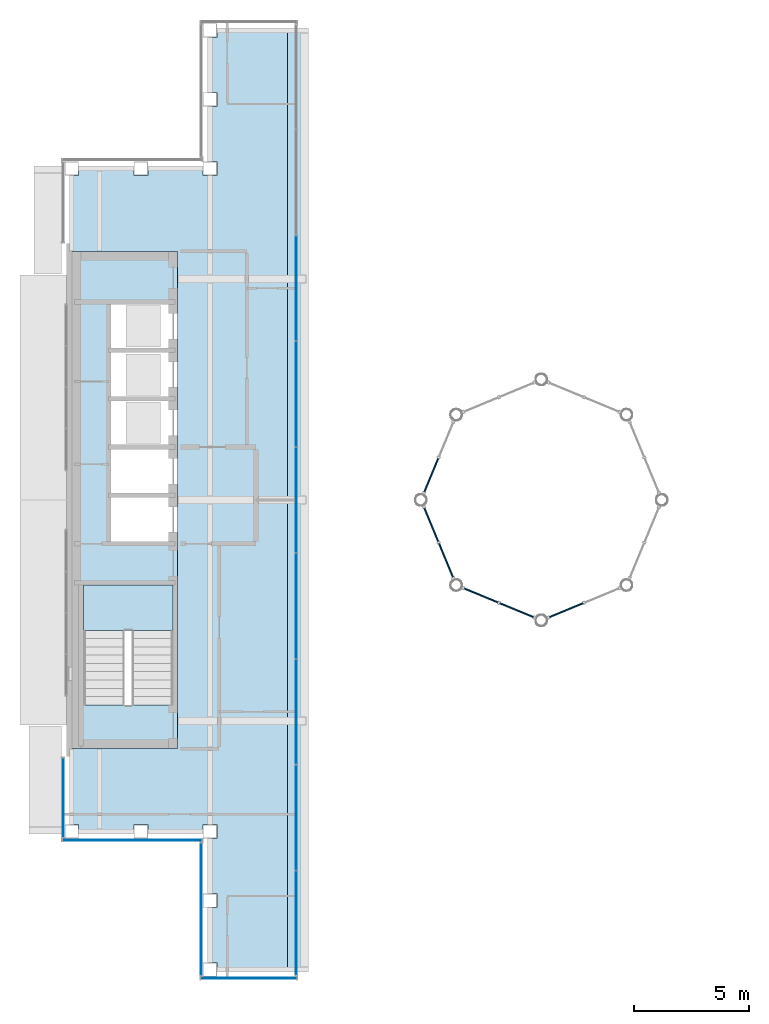
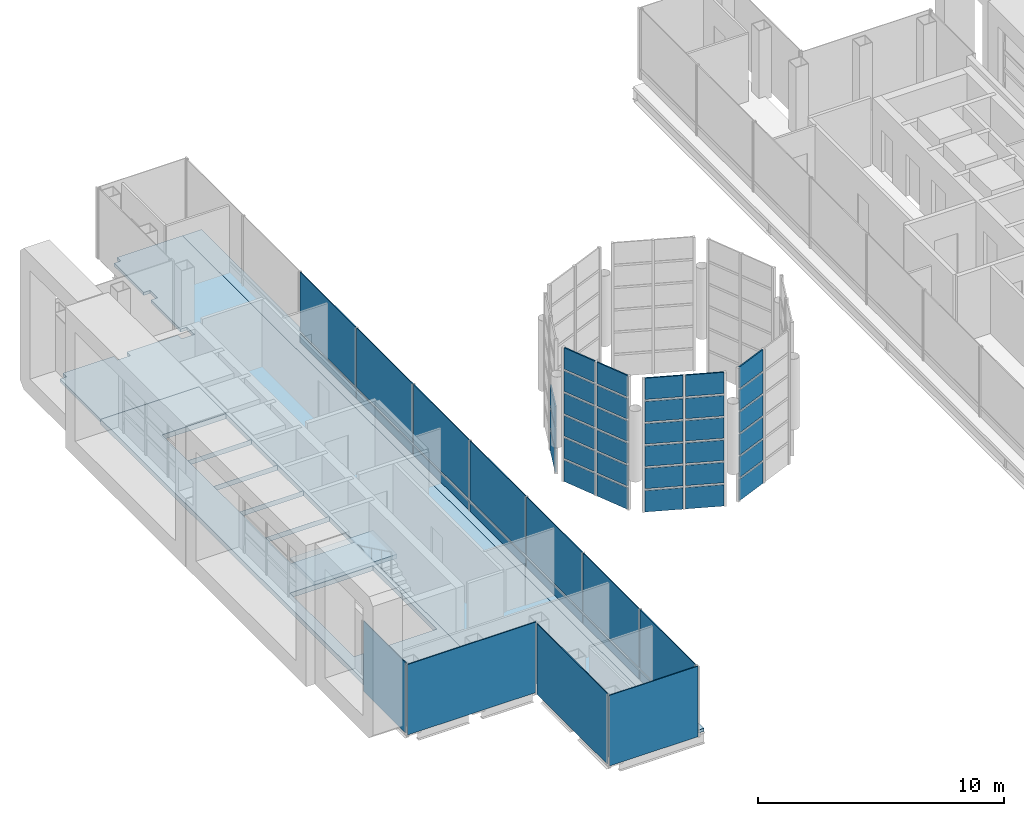
# One storey, part 10 of 21: 51 plates, 4 slabs, 10 elements without a shape of their own.
"""IFC4 building model written with IfcOpenShell, lengths in metres."""

from ifc_helpers import new_model, si_unit, direction, frame, origin, origin_2d, place, context, subcontext, project, spatial, polyline, rectangle, outline, extrude, material, layer, layer_set, type_object, element, aggregate, save


model = new_model("IFC4")

# Units and contexts
model_context = context("Model", 3, precision=1e-05, world=origin(), true_north=direction((0.0, 1.0)))
body_context = subcontext(model_context, "Body", "Model", "MODEL_VIEW")
ifc_project = project(units=[si_unit("LENGTHUNIT", "METRE"), si_unit("AREAUNIT", "SQUARE_METRE"), si_unit("VOLUMEUNIT", "CUBIC_METRE"), si_unit("PLANEANGLEUNIT", "RADIAN"), si_unit("MASSUNIT", "GRAM", prefix="KILO")], contexts=[model_context])

# Site, building, storey
site_placement = place(None, origin())
site = spatial("IfcSite", under=ifc_project, at=site_placement, CompositionType="ELEMENT")
building_placement = place(site_placement, origin())
building = spatial("IfcBuilding", under=site, at=building_placement, Name="Cobrizo Arcos Hotel Tower", CompositionType="ELEMENT")
storey_placement = place(building_placement, frame((0.0, 0.0, 283.0)))
storey = spatial("IfcBuildingStorey", under=building, at=storey_placement, Name="L75", CompositionType="ELEMENT", Elevation=283.0)

# Curtain wall, plate
ifc_material_1 = material(Name="Aluminium 6063-T6 anodised bronze", Category="aluminium")
curtain_wall_type_1 = type_object("IfcCurtainWallType", Name="CW-A guest facade", PredefinedType="NOTDEFINED", material=ifc_material_1)
curtain_wall_1_placement = place(storey_placement, origin())
curtain_wall_1 = element("IfcCurtainWall", 1, at=curtain_wall_1_placement, inside=storey, type_object=curtain_wall_type_1, Name="CW-A L75 S face", PredefinedType="NOTDEFINED")
ifc_material_2 = material(Name="Aluminium composite panel pale metal", Category="aluminium")
ifc_layer_1 = layer(ifc_material_2, 0.0400390625)
ifc_layer_set_1 = layer_set([ifc_layer_1], Name="CW-A spandrel panel")
plate_type_1 = type_object("IfcPlateType", Name="CW-A spandrel panel", PredefinedType="CURTAIN_PANEL", material=ifc_layer_set_1)
plate_1_placement = place(storey_placement, frame((-12.712890625, -20.77490234375, 0.0), z_axis=(0.0, 0.0, 1.0), x_axis=(1.0, 0.0, 0.0)))
plate_1 = element("IfcPlate", 2, at=plate_1_placement, type_object=plate_type_1, Name="CW-A spandrel panel 2375", PredefinedType="CURTAIN_PANEL", context=body_context, shape_type="SweptSolid", body=[
    extrude(rectangle(XDim=4.154052734375, YDim=0.0400390625, at=origin_2d()), origin(), (0.0, 0.0, 1.0), 3.5),
])
aggregate(curtain_wall_1, [plate_1])

curtain_wall_2_placement = place(storey_placement, origin())
curtain_wall_2 = element("IfcCurtainWall", 3, at=curtain_wall_2_placement, inside=storey, type_object=curtain_wall_type_1, Name="CW-A L75 W face", PredefinedType="NOTDEFINED")
plate_2_placement = place(storey_placement, frame((-20.77490234375, -12.925048828125, 0.0), z_axis=(0.0, 0.0, 1.0), x_axis=(0.0, -1.0, 0.0)))
plate_2 = element("IfcPlate", 4, at=plate_2_placement, type_object=plate_type_1, Name="CW-A spandrel panel 2389", PredefinedType="CURTAIN_PANEL", context=body_context, shape_type="SweptSolid", body=[
    extrude(rectangle(XDim=3.429931640625, YDim=0.0400390625, at=origin_2d()), origin(), (0.0, 0.0, 1.0), 3.5),
])
aggregate(curtain_wall_2, [plate_2])

curtain_wall_3_placement = place(storey_placement, origin())
curtain_wall_3 = element("IfcCurtainWall", 5, at=curtain_wall_3_placement, inside=storey, type_object=curtain_wall_type_1, Name="CW-A L75 S face", PredefinedType="NOTDEFINED")
plate_3_placement = place(storey_placement, frame((-17.77490234375, -14.77490234375, 0.0), z_axis=(0.0, 0.0, 1.0), x_axis=(1.0, 0.0, 0.0)))
plate_3 = element("IfcPlate", 6, at=plate_3_placement, type_object=plate_type_1, Name="CW-A spandrel panel 2390", PredefinedType="CURTAIN_PANEL", context=body_context, shape_type="SweptSolid", body=[
    extrude(rectangle(XDim=6.030029296875, YDim=0.0400390625, at=origin_2d()), origin(), (0.0, 0.0, 1.0), 3.5),
])
aggregate(curtain_wall_3, [plate_3])

curtain_wall_4_placement = place(storey_placement, origin())
curtain_wall_4 = element("IfcCurtainWall", 7, at=curtain_wall_4_placement, inside=storey, type_object=curtain_wall_type_1, Name="CW-A L75 W face", PredefinedType="NOTDEFINED")
plate_4_placement = place(storey_placement, frame((-14.77490234375, -17.77490234375, 0.0), z_axis=(0.0, 0.0, 1.0), x_axis=(0.0, -1.0, 0.0)))
plate_4 = element("IfcPlate", 8, at=plate_4_placement, type_object=plate_type_1, Name="CW-A spandrel panel 2391", PredefinedType="CURTAIN_PANEL", context=body_context, shape_type="SweptSolid", body=[
    extrude(rectangle(XDim=5.72998046875, YDim=0.0400390625, at=origin_2d()), origin(), (0.0, 0.0, 1.0), 3.5),
])
aggregate(curtain_wall_4, [plate_4])

# Curtain wall, plates
curtain_wall_type_2 = type_object("IfcCurtainWallType", Name="CW-C arch infill and crown glazing", PredefinedType="NOTDEFINED", material=ifc_material_1)
curtain_wall_5_placement = place(storey_placement, origin())
curtain_wall_5 = element("IfcCurtainWall", 9, at=curtain_wall_5_placement, inside=storey, type_object=curtain_wall_type_2, Name="CW-C L75 E face", PredefinedType="NOTDEFINED")
ifc_material_3 = material(Name="Glass clear laminated low-e", Category="glass")
ifc_layer_2 = layer(ifc_material_3, 0.0400390625)
ifc_layer_set_2 = layer_set([ifc_layer_2], Name="CW-C glass panel")
plate_type_2 = type_object("IfcPlateType", Name="CW-C glass panel", PredefinedType="CURTAIN_PANEL", material=ifc_layer_set_2)
plate_5_placement = place(storey_placement, frame((-10.65087890625, -18.382568359375, 0.0), z_axis=(0.0, 0.0, 1.0), x_axis=(0.0, 1.0, 0.0)))
plate_5 = element("IfcPlate", 10, at=plate_5_placement, type_object=plate_type_2, Name="CW-C glass panel 2376", PredefinedType="CURTAIN_PANEL", context=body_context, shape_type="SweptSolid", body=[
    extrude(rectangle(XDim=4.4951171875, YDim=0.0400390625, at=origin_2d()), origin(), (0.0, 0.0, 1.0), 0.429931640625),
])
plate_6_placement = place(storey_placement, frame((-10.65087890625, -18.382568359375, 0.56982421875), z_axis=(0.0, 0.0, 1.0), x_axis=(0.0, 1.0, 0.0)))
plate_6 = element("IfcPlate", 11, at=plate_6_placement, type_object=plate_type_2, Name="CW-C glass panel 2376", PredefinedType="CURTAIN_PANEL", context=body_context, shape_type="SweptSolid", body=[
    extrude(rectangle(XDim=4.4951171875, YDim=0.0400390625, at=origin_2d()), origin(), (0.0, 0.0, 1.0), 2.929931640625),
])
plate_7_placement = place(storey_placement, frame((-10.65087890625, -13.800048828125, 0.0), z_axis=(0.0, 0.0, 1.0), x_axis=(0.0, 1.0, 0.0)))
plate_7 = element("IfcPlate", 12, at=plate_7_placement, type_object=plate_type_2, Name="CW-C glass panel 2377", PredefinedType="CURTAIN_PANEL", context=body_context, shape_type="SweptSolid", body=[
    extrude(rectangle(XDim=4.530029296875, YDim=0.0400390625, at=origin_2d()), origin(), (0.0, 0.0, 1.0), 0.429931640625),
])
plate_8_placement = place(storey_placement, frame((-10.65087890625, -13.800048828125, 0.56982421875), z_axis=(0.0, 0.0, 1.0), x_axis=(0.0, 1.0, 0.0)))
plate_8 = element("IfcPlate", 13, at=plate_8_placement, type_object=plate_type_2, Name="CW-C glass panel 2377", PredefinedType="CURTAIN_PANEL", context=body_context, shape_type="SweptSolid", body=[
    extrude(rectangle(XDim=4.530029296875, YDim=0.0400390625, at=origin_2d()), origin(), (0.0, 0.0, 1.0), 2.929931640625),
])
plate_9_placement = place(storey_placement, frame((-10.65087890625, -9.199951171875, 0.0), z_axis=(0.0, 0.0, 1.0), x_axis=(0.0, 1.0, 0.0)))
plate_9 = element("IfcPlate", 14, at=plate_9_placement, type_object=plate_type_2, Name="CW-C glass panel 2378", PredefinedType="CURTAIN_PANEL", context=body_context, shape_type="SweptSolid", body=[
    extrude(rectangle(XDim=4.530029296875, YDim=0.0400390625, at=origin_2d()), origin(), (0.0, 0.0, 1.0), 0.429931640625),
])
plate_10_placement = place(storey_placement, frame((-10.65087890625, -9.199951171875, 0.56982421875), z_axis=(0.0, 0.0, 1.0), x_axis=(0.0, 1.0, 0.0)))
plate_10 = element("IfcPlate", 15, at=plate_10_placement, type_object=plate_type_2, Name="CW-C glass panel 2378", PredefinedType="CURTAIN_PANEL", context=body_context, shape_type="SweptSolid", body=[
    extrude(rectangle(XDim=4.530029296875, YDim=0.0400390625, at=origin_2d()), origin(), (0.0, 0.0, 1.0), 2.929931640625),
])
plate_11_placement = place(storey_placement, frame((-10.65087890625, -4.60009765625, 0.0), z_axis=(0.0, 0.0, 1.0), x_axis=(0.0, 1.0, 0.0)))
plate_11 = element("IfcPlate", 16, at=plate_11_placement, type_object=plate_type_2, Name="CW-C glass panel 2379", PredefinedType="CURTAIN_PANEL", context=body_context, shape_type="SweptSolid", body=[
    extrude(rectangle(XDim=4.530029296875, YDim=0.0400390625, at=origin_2d()), origin(), (0.0, 0.0, 1.0), 0.429931640625),
])
plate_12_placement = place(storey_placement, frame((-10.65087890625, -4.60009765625, 0.56982421875), z_axis=(0.0, 0.0, 1.0), x_axis=(0.0, 1.0, 0.0)))
plate_12 = element("IfcPlate", 17, at=plate_12_placement, type_object=plate_type_2, Name="CW-C glass panel 2379", PredefinedType="CURTAIN_PANEL", context=body_context, shape_type="SweptSolid", body=[
    extrude(rectangle(XDim=4.530029296875, YDim=0.0400390625, at=origin_2d()), origin(), (0.0, 0.0, 1.0), 2.929931640625),
])
plate_13_placement = place(storey_placement, frame((-10.65087890625, 0.0, 0.0), z_axis=(0.0, 0.0, 1.0), x_axis=(0.0, 1.0, 0.0)))
plate_13 = element("IfcPlate", 18, at=plate_13_placement, type_object=plate_type_2, Name="CW-C glass panel 2380", PredefinedType="CURTAIN_PANEL", context=body_context, shape_type="SweptSolid", body=[
    extrude(rectangle(XDim=4.530029296875, YDim=0.0400390625, at=origin_2d()), origin(), (0.0, 0.0, 1.0), 0.429931640625),
])
plate_14_placement = place(storey_placement, frame((-10.65087890625, 0.0, 0.56982421875), z_axis=(0.0, 0.0, 1.0), x_axis=(0.0, 1.0, 0.0)))
plate_14 = element("IfcPlate", 19, at=plate_14_placement, type_object=plate_type_2, Name="CW-C glass panel 2380", PredefinedType="CURTAIN_PANEL", context=body_context, shape_type="SweptSolid", body=[
    extrude(rectangle(XDim=4.530029296875, YDim=0.0400390625, at=origin_2d()), origin(), (0.0, 0.0, 1.0), 2.929931640625),
])
plate_15_placement = place(storey_placement, frame((-10.65087890625, 4.60009765625, 0.0), z_axis=(0.0, 0.0, 1.0), x_axis=(0.0, 1.0, 0.0)))
plate_15 = element("IfcPlate", 20, at=plate_15_placement, type_object=plate_type_2, Name="CW-C glass panel 2381", PredefinedType="CURTAIN_PANEL", context=body_context, shape_type="SweptSolid", body=[
    extrude(rectangle(XDim=4.530029296875, YDim=0.0400390625, at=origin_2d()), origin(), (0.0, 0.0, 1.0), 0.429931640625),
])
plate_16_placement = place(storey_placement, frame((-10.65087890625, 4.60009765625, 0.56982421875), z_axis=(0.0, 0.0, 1.0), x_axis=(0.0, 1.0, 0.0)))
plate_16 = element("IfcPlate", 21, at=plate_16_placement, type_object=plate_type_2, Name="CW-C glass panel 2381", PredefinedType="CURTAIN_PANEL", context=body_context, shape_type="SweptSolid", body=[
    extrude(rectangle(XDim=4.530029296875, YDim=0.0400390625, at=origin_2d()), origin(), (0.0, 0.0, 1.0), 2.929931640625),
])
plate_17_placement = place(storey_placement, frame((-10.65087890625, 9.199951171875, 0.0), z_axis=(0.0, 0.0, 1.0), x_axis=(0.0, 1.0, 0.0)))
plate_17 = element("IfcPlate", 22, at=plate_17_placement, type_object=plate_type_2, Name="CW-C glass panel 2382", PredefinedType="CURTAIN_PANEL", context=body_context, shape_type="SweptSolid", body=[
    extrude(rectangle(XDim=4.530029296875, YDim=0.0400390625, at=origin_2d()), origin(), (0.0, 0.0, 1.0), 0.429931640625),
])
plate_18_placement = place(storey_placement, frame((-10.65087890625, 9.199951171875, 0.56982421875), z_axis=(0.0, 0.0, 1.0), x_axis=(0.0, 1.0, 0.0)))
plate_18 = element("IfcPlate", 23, at=plate_18_placement, type_object=plate_type_2, Name="CW-C glass panel 2382", PredefinedType="CURTAIN_PANEL", context=body_context, shape_type="SweptSolid", body=[
    extrude(rectangle(XDim=4.530029296875, YDim=0.0400390625, at=origin_2d()), origin(), (0.0, 0.0, 1.0), 2.929931640625),
])
aggregate(curtain_wall_5, [plate_5, plate_6, plate_7, plate_8, plate_9, plate_10, plate_11, plate_12, plate_13, plate_14, plate_15, plate_16, plate_17, plate_18])

curtain_wall_type_3 = type_object("IfcCurtainWallType", Name="CW-D plant louvre wall", PredefinedType="NOTDEFINED", material=ifc_material_1)
curtain_wall_6_placement = place(storey_placement, origin())
curtain_wall_6 = element("IfcCurtainWall", 24, at=curtain_wall_6_placement, inside=storey, type_object=curtain_wall_type_3, Name="CW-D drum louvre wall t2-4", PredefinedType="NOTDEFINED")
ifc_layer_3 = layer(ifc_material_2, 0.06005859375)
ifc_layer_set_3 = layer_set([ifc_layer_3], Name="CW-D spandrel panel")
plate_type_3 = type_object("IfcPlateType", Name="CW-D spandrel panel", PredefinedType="CURTAIN_PANEL", material=ifc_layer_set_3)
plate_19_placement = place(storey_placement, frame((-4.785400390625, 1.079345703125, -1.666748046875), z_axis=(0.0, 0.0, 1.0), x_axis=(-0.382683432365, -0.923879532511, 0.0)))
plate_19 = element("IfcPlate", 25, at=plate_19_placement, type_object=plate_type_3, Name="CW-D louvre panel 2-0", PredefinedType="CURTAIN_PANEL", context=body_context, shape_type="SweptSolid", body=[
    extrude(rectangle(XDim=1.568359375, YDim=0.06005859375, at=origin_2d()), origin(), (0.0, 0.0, 1.0), 1.0556640625),
])
plate_20_placement = place(storey_placement, frame((-4.785400390625, 1.079345703125, -0.51123046875), z_axis=(0.0, 0.0, 1.0), x_axis=(-0.382683432365, -0.923879532511, 0.0)))
plate_20 = element("IfcPlate", 26, at=plate_20_placement, type_object=plate_type_3, Name="CW-D louvre panel 2-1", PredefinedType="CURTAIN_PANEL", context=body_context, shape_type="SweptSolid", body=[
    extrude(rectangle(XDim=1.568359375, YDim=0.06005859375, at=origin_2d()), origin(), (0.0, 0.0, 1.0), 1.005615234375),
])
plate_21_placement = place(storey_placement, frame((-4.785400390625, 1.079345703125, 0.59423828125), z_axis=(0.0, 0.0, 1.0), x_axis=(-0.382683432365, -0.923879532511, 0.0)))
plate_21 = element("IfcPlate", 27, at=plate_21_placement, type_object=plate_type_3, Name="CW-D louvre panel 2-2", PredefinedType="CURTAIN_PANEL", context=body_context, shape_type="SweptSolid", body=[
    extrude(rectangle(XDim=1.568359375, YDim=0.06005859375, at=origin_2d()), origin(), (0.0, 0.0, 1.0), 1.005615234375),
])
aggregate(curtain_wall_6, [plate_19, plate_20, plate_21])

curtain_wall_7_placement = place(storey_placement, origin())
curtain_wall_7 = element("IfcCurtainWall", 28, at=curtain_wall_7_placement, inside=storey, type_object=curtain_wall_type_3, Name="CW-D drum louvre wall t2-5", PredefinedType="NOTDEFINED")
plate_22_placement = place(storey_placement, frame((-4.785400390625, -1.079345703125, -1.666748046875), z_axis=(0.0, 0.0, 1.0), x_axis=(0.382683432365, -0.923879532511, 0.0)))
plate_22 = element("IfcPlate", 29, at=plate_22_placement, type_object=plate_type_3, Name="CW-D louvre panel 1-0", PredefinedType="CURTAIN_PANEL", context=body_context, shape_type="SweptSolid", body=[
    extrude(rectangle(XDim=1.568359375, YDim=0.06005859375, at=origin_2d()), origin(), (0.0, 0.0, 1.0), 1.0556640625),
])
plate_23_placement = place(storey_placement, frame((-4.785400390625, -1.079345703125, -0.51123046875), z_axis=(0.0, 0.0, 1.0), x_axis=(0.382683432365, -0.923879532511, 0.0)))
plate_23 = element("IfcPlate", 30, at=plate_23_placement, type_object=plate_type_3, Name="CW-D louvre panel 1-1", PredefinedType="CURTAIN_PANEL", context=body_context, shape_type="SweptSolid", body=[
    extrude(rectangle(XDim=1.568359375, YDim=0.06005859375, at=origin_2d()), origin(), (0.0, 0.0, 1.0), 1.005615234375),
])
plate_24_placement = place(storey_placement, frame((-4.785400390625, -1.079345703125, 0.59423828125), z_axis=(0.0, 0.0, 1.0), x_axis=(0.382683432365, -0.923879532511, 0.0)))
plate_24 = element("IfcPlate", 31, at=plate_24_placement, type_object=plate_type_3, Name="CW-D louvre panel 1-2", PredefinedType="CURTAIN_PANEL", context=body_context, shape_type="SweptSolid", body=[
    extrude(rectangle(XDim=1.568359375, YDim=0.06005859375, at=origin_2d()), origin(), (0.0, 0.0, 1.0), 1.005615234375),
])
plate_25_placement = place(storey_placement, frame((-4.785400390625, -1.079345703125, 1.7001953125), z_axis=(0.0, 0.0, 1.0), x_axis=(0.382683432365, -0.923879532511, 0.0)))
plate_25 = element("IfcPlate", 32, at=plate_25_placement, type_object=plate_type_3, Name="CW-D louvre panel 1-3", PredefinedType="CURTAIN_PANEL", context=body_context, shape_type="SweptSolid", body=[
    extrude(rectangle(XDim=1.568359375, YDim=0.06005859375, at=origin_2d()), origin(), (0.0, 0.0, 1.0), 1.005615234375),
])
plate_26_placement = place(storey_placement, frame((-4.785400390625, -1.079345703125, 2.8056640625), z_axis=(0.0, 0.0, 1.0), x_axis=(0.382683432365, -0.923879532511, 0.0)))
plate_26 = element("IfcPlate", 33, at=plate_26_placement, type_object=plate_type_3, Name="CW-D louvre panel 1-4", PredefinedType="CURTAIN_PANEL", context=body_context, shape_type="SweptSolid", body=[
    extrude(rectangle(XDim=1.568359375, YDim=0.06005859375, at=origin_2d()), origin(), (0.0, 0.0, 1.0), 1.005615234375),
])
plate_27_placement = place(storey_placement, frame((-4.785400390625, -1.079345703125, 3.9111328125), z_axis=(0.0, 0.0, 1.0), x_axis=(0.382683432365, -0.923879532511, 0.0)))
plate_27 = element("IfcPlate", 34, at=plate_27_placement, type_object=plate_type_3, Name="CW-D louvre panel 1-5", PredefinedType="CURTAIN_PANEL", context=body_context, shape_type="SweptSolid", body=[
    extrude(rectangle(XDim=1.568359375, YDim=0.06005859375, at=origin_2d()), origin(), (0.0, 0.0, 1.0), 1.0556640625),
])
plate_28_placement = place(storey_placement, frame((-4.147216796875, -2.62060546875, -1.666748046875), z_axis=(0.0, 0.0, 1.0), x_axis=(0.382683432365, -0.923879532511, 0.0)))
plate_28 = element("IfcPlate", 35, at=plate_28_placement, type_object=plate_type_3, Name="CW-D louvre panel 2-0", PredefinedType="CURTAIN_PANEL", context=body_context, shape_type="SweptSolid", body=[
    extrude(rectangle(XDim=1.568359375, YDim=0.06005859375, at=origin_2d()), origin(), (0.0, 0.0, 1.0), 1.0556640625),
])
plate_29_placement = place(storey_placement, frame((-4.147216796875, -2.62060546875, -0.51123046875), z_axis=(0.0, 0.0, 1.0), x_axis=(0.382683432365, -0.923879532511, 0.0)))
plate_29 = element("IfcPlate", 36, at=plate_29_placement, type_object=plate_type_3, Name="CW-D louvre panel 2-1", PredefinedType="CURTAIN_PANEL", context=body_context, shape_type="SweptSolid", body=[
    extrude(rectangle(XDim=1.568359375, YDim=0.06005859375, at=origin_2d()), origin(), (0.0, 0.0, 1.0), 1.005615234375),
])
plate_30_placement = place(storey_placement, frame((-4.147216796875, -2.62060546875, 0.59423828125), z_axis=(0.0, 0.0, 1.0), x_axis=(0.382683432365, -0.923879532511, 0.0)))
plate_30 = element("IfcPlate", 37, at=plate_30_placement, type_object=plate_type_3, Name="CW-D louvre panel 2-2", PredefinedType="CURTAIN_PANEL", context=body_context, shape_type="SweptSolid", body=[
    extrude(rectangle(XDim=1.568359375, YDim=0.06005859375, at=origin_2d()), origin(), (0.0, 0.0, 1.0), 1.005615234375),
])
plate_31_placement = place(storey_placement, frame((-4.147216796875, -2.62060546875, 1.7001953125), z_axis=(0.0, 0.0, 1.0), x_axis=(0.382683432365, -0.923879532511, 0.0)))
plate_31 = element("IfcPlate", 38, at=plate_31_placement, type_object=plate_type_3, Name="CW-D louvre panel 2-3", PredefinedType="CURTAIN_PANEL", context=body_context, shape_type="SweptSolid", body=[
    extrude(rectangle(XDim=1.568359375, YDim=0.06005859375, at=origin_2d()), origin(), (0.0, 0.0, 1.0), 1.005615234375),
])
plate_32_placement = place(storey_placement, frame((-4.147216796875, -2.62060546875, 2.8056640625), z_axis=(0.0, 0.0, 1.0), x_axis=(0.382683432365, -0.923879532511, 0.0)))
plate_32 = element("IfcPlate", 39, at=plate_32_placement, type_object=plate_type_3, Name="CW-D louvre panel 2-4", PredefinedType="CURTAIN_PANEL", context=body_context, shape_type="SweptSolid", body=[
    extrude(rectangle(XDim=1.568359375, YDim=0.06005859375, at=origin_2d()), origin(), (0.0, 0.0, 1.0), 1.005615234375),
])
plate_33_placement = place(storey_placement, frame((-4.147216796875, -2.62060546875, 3.9111328125), z_axis=(0.0, 0.0, 1.0), x_axis=(0.382683432365, -0.923879532511, 0.0)))
plate_33 = element("IfcPlate", 40, at=plate_33_placement, type_object=plate_type_3, Name="CW-D louvre panel 2-5", PredefinedType="CURTAIN_PANEL", context=body_context, shape_type="SweptSolid", body=[
    extrude(rectangle(XDim=1.568359375, YDim=0.06005859375, at=origin_2d()), origin(), (0.0, 0.0, 1.0), 1.0556640625),
])
aggregate(curtain_wall_7, [plate_22, plate_23, plate_24, plate_25, plate_26, plate_27, plate_28, plate_29, plate_30, plate_31, plate_32, plate_33])

curtain_wall_8_placement = place(storey_placement, origin())
curtain_wall_8 = element("IfcCurtainWall", 41, at=curtain_wall_8_placement, inside=storey, type_object=curtain_wall_type_3, Name="CW-D drum louvre wall t2-6", PredefinedType="NOTDEFINED")
plate_34_placement = place(storey_placement, frame((-2.62060546875, -4.147216796875, -1.666748046875), z_axis=(0.0, 0.0, 1.0), x_axis=(0.923879532511, -0.382683432365, 0.0)))
plate_34 = element("IfcPlate", 42, at=plate_34_placement, type_object=plate_type_3, Name="CW-D louvre panel 1-0", PredefinedType="CURTAIN_PANEL", context=body_context, shape_type="SweptSolid", body=[
    extrude(rectangle(XDim=1.568359375, YDim=0.06005859375, at=origin_2d()), origin(), (0.0, 0.0, 1.0), 1.0556640625),
])
plate_35_placement = place(storey_placement, frame((-2.62060546875, -4.147216796875, -0.51123046875), z_axis=(0.0, 0.0, 1.0), x_axis=(0.923879532511, -0.382683432365, 0.0)))
plate_35 = element("IfcPlate", 43, at=plate_35_placement, type_object=plate_type_3, Name="CW-D louvre panel 1-1", PredefinedType="CURTAIN_PANEL", context=body_context, shape_type="SweptSolid", body=[
    extrude(rectangle(XDim=1.568359375, YDim=0.06005859375, at=origin_2d()), origin(), (0.0, 0.0, 1.0), 1.005615234375),
])
plate_36_placement = place(storey_placement, frame((-2.62060546875, -4.147216796875, 0.59423828125), z_axis=(0.0, 0.0, 1.0), x_axis=(0.923879532511, -0.382683432365, 0.0)))
plate_36 = element("IfcPlate", 44, at=plate_36_placement, type_object=plate_type_3, Name="CW-D louvre panel 1-2", PredefinedType="CURTAIN_PANEL", context=body_context, shape_type="SweptSolid", body=[
    extrude(rectangle(XDim=1.568359375, YDim=0.06005859375, at=origin_2d()), origin(), (0.0, 0.0, 1.0), 1.005615234375),
])
plate_37_placement = place(storey_placement, frame((-2.62060546875, -4.147216796875, 1.7001953125), z_axis=(0.0, 0.0, 1.0), x_axis=(0.923879532511, -0.382683432365, 0.0)))
plate_37 = element("IfcPlate", 45, at=plate_37_placement, type_object=plate_type_3, Name="CW-D louvre panel 1-3", PredefinedType="CURTAIN_PANEL", context=body_context, shape_type="SweptSolid", body=[
    extrude(rectangle(XDim=1.568359375, YDim=0.06005859375, at=origin_2d()), origin(), (0.0, 0.0, 1.0), 1.005615234375),
])
plate_38_placement = place(storey_placement, frame((-2.62060546875, -4.147216796875, 2.8056640625), z_axis=(0.0, 0.0, 1.0), x_axis=(0.923879532511, -0.382683432365, 0.0)))
plate_38 = element("IfcPlate", 46, at=plate_38_placement, type_object=plate_type_3, Name="CW-D louvre panel 1-4", PredefinedType="CURTAIN_PANEL", context=body_context, shape_type="SweptSolid", body=[
    extrude(rectangle(XDim=1.568359375, YDim=0.06005859375, at=origin_2d()), origin(), (0.0, 0.0, 1.0), 1.005615234375),
])
plate_39_placement = place(storey_placement, frame((-2.62060546875, -4.147216796875, 3.9111328125), z_axis=(0.0, 0.0, 1.0), x_axis=(0.923879532511, -0.382683432365, 0.0)))
plate_39 = element("IfcPlate", 47, at=plate_39_placement, type_object=plate_type_3, Name="CW-D louvre panel 1-5", PredefinedType="CURTAIN_PANEL", context=body_context, shape_type="SweptSolid", body=[
    extrude(rectangle(XDim=1.568359375, YDim=0.06005859375, at=origin_2d()), origin(), (0.0, 0.0, 1.0), 1.0556640625),
])
plate_40_placement = place(storey_placement, frame((-1.079345703125, -4.785400390625, -1.666748046875), z_axis=(0.0, 0.0, 1.0), x_axis=(0.923879532511, -0.382683432365, 0.0)))
plate_40 = element("IfcPlate", 48, at=plate_40_placement, type_object=plate_type_3, Name="CW-D louvre panel 2-0", PredefinedType="CURTAIN_PANEL", context=body_context, shape_type="SweptSolid", body=[
    extrude(rectangle(XDim=1.568359375, YDim=0.06005859375, at=origin_2d()), origin(), (0.0, 0.0, 1.0), 1.0556640625),
])
plate_41_placement = place(storey_placement, frame((-1.079345703125, -4.785400390625, -0.51123046875), z_axis=(0.0, 0.0, 1.0), x_axis=(0.923879532511, -0.382683432365, 0.0)))
plate_41 = element("IfcPlate", 49, at=plate_41_placement, type_object=plate_type_3, Name="CW-D louvre panel 2-1", PredefinedType="CURTAIN_PANEL", context=body_context, shape_type="SweptSolid", body=[
    extrude(rectangle(XDim=1.568359375, YDim=0.06005859375, at=origin_2d()), origin(), (0.0, 0.0, 1.0), 1.005615234375),
])
plate_42_placement = place(storey_placement, frame((-1.079345703125, -4.785400390625, 0.59423828125), z_axis=(0.0, 0.0, 1.0), x_axis=(0.923879532511, -0.382683432365, 0.0)))
plate_42 = element("IfcPlate", 50, at=plate_42_placement, type_object=plate_type_3, Name="CW-D louvre panel 2-2", PredefinedType="CURTAIN_PANEL", context=body_context, shape_type="SweptSolid", body=[
    extrude(rectangle(XDim=1.568359375, YDim=0.06005859375, at=origin_2d()), origin(), (0.0, 0.0, 1.0), 1.005615234375),
])
plate_43_placement = place(storey_placement, frame((-1.079345703125, -4.785400390625, 1.7001953125), z_axis=(0.0, 0.0, 1.0), x_axis=(0.923879532511, -0.382683432365, 0.0)))
plate_43 = element("IfcPlate", 51, at=plate_43_placement, type_object=plate_type_3, Name="CW-D louvre panel 2-3", PredefinedType="CURTAIN_PANEL", context=body_context, shape_type="SweptSolid", body=[
    extrude(rectangle(XDim=1.568359375, YDim=0.06005859375, at=origin_2d()), origin(), (0.0, 0.0, 1.0), 1.005615234375),
])
plate_44_placement = place(storey_placement, frame((-1.079345703125, -4.785400390625, 2.8056640625), z_axis=(0.0, 0.0, 1.0), x_axis=(0.923879532511, -0.382683432365, 0.0)))
plate_44 = element("IfcPlate", 52, at=plate_44_placement, type_object=plate_type_3, Name="CW-D louvre panel 2-4", PredefinedType="CURTAIN_PANEL", context=body_context, shape_type="SweptSolid", body=[
    extrude(rectangle(XDim=1.568359375, YDim=0.06005859375, at=origin_2d()), origin(), (0.0, 0.0, 1.0), 1.005615234375),
])
plate_45_placement = place(storey_placement, frame((-1.079345703125, -4.785400390625, 3.9111328125), z_axis=(0.0, 0.0, 1.0), x_axis=(0.923879532511, -0.382683432365, 0.0)))
plate_45 = element("IfcPlate", 53, at=plate_45_placement, type_object=plate_type_3, Name="CW-D louvre panel 2-5", PredefinedType="CURTAIN_PANEL", context=body_context, shape_type="SweptSolid", body=[
    extrude(rectangle(XDim=1.568359375, YDim=0.06005859375, at=origin_2d()), origin(), (0.0, 0.0, 1.0), 1.0556640625),
])
aggregate(curtain_wall_8, [plate_34, plate_35, plate_36, plate_37, plate_38, plate_39, plate_40, plate_41, plate_42, plate_43, plate_44, plate_45])

curtain_wall_9_placement = place(storey_placement, origin())
curtain_wall_9 = element("IfcCurtainWall", 54, at=curtain_wall_9_placement, inside=storey, type_object=curtain_wall_type_3, Name="CW-D drum louvre wall t2-7", PredefinedType="NOTDEFINED")
plate_46_placement = place(storey_placement, frame((1.079345703125, -4.785400390625, -1.666748046875), z_axis=(0.0, 0.0, 1.0), x_axis=(0.923879532511, 0.382683432365, 0.0)))
plate_46 = element("IfcPlate", 55, at=plate_46_placement, type_object=plate_type_3, Name="CW-D louvre panel 1-0", PredefinedType="CURTAIN_PANEL", context=body_context, shape_type="SweptSolid", body=[
    extrude(rectangle(XDim=1.568359375, YDim=0.06005859375, at=origin_2d()), origin(), (0.0, 0.0, 1.0), 1.0556640625),
])
plate_47_placement = place(storey_placement, frame((1.079345703125, -4.785400390625, -0.51123046875), z_axis=(0.0, 0.0, 1.0), x_axis=(0.923879532511, 0.382683432365, 0.0)))
plate_47 = element("IfcPlate", 56, at=plate_47_placement, type_object=plate_type_3, Name="CW-D louvre panel 1-1", PredefinedType="CURTAIN_PANEL", context=body_context, shape_type="SweptSolid", body=[
    extrude(rectangle(XDim=1.568359375, YDim=0.06005859375, at=origin_2d()), origin(), (0.0, 0.0, 1.0), 1.005615234375),
])
plate_48_placement = place(storey_placement, frame((1.079345703125, -4.785400390625, 0.59423828125), z_axis=(0.0, 0.0, 1.0), x_axis=(0.923879532511, 0.382683432365, 0.0)))
plate_48 = element("IfcPlate", 57, at=plate_48_placement, type_object=plate_type_3, Name="CW-D louvre panel 1-2", PredefinedType="CURTAIN_PANEL", context=body_context, shape_type="SweptSolid", body=[
    extrude(rectangle(XDim=1.568359375, YDim=0.06005859375, at=origin_2d()), origin(), (0.0, 0.0, 1.0), 1.005615234375),
])
plate_49_placement = place(storey_placement, frame((1.079345703125, -4.785400390625, 1.7001953125), z_axis=(0.0, 0.0, 1.0), x_axis=(0.923879532511, 0.382683432365, 0.0)))
plate_49 = element("IfcPlate", 58, at=plate_49_placement, type_object=plate_type_3, Name="CW-D louvre panel 1-3", PredefinedType="CURTAIN_PANEL", context=body_context, shape_type="SweptSolid", body=[
    extrude(rectangle(XDim=1.568359375, YDim=0.06005859375, at=origin_2d()), origin(), (0.0, 0.0, 1.0), 1.005615234375),
])
plate_50_placement = place(storey_placement, frame((1.079345703125, -4.785400390625, 2.8056640625), z_axis=(0.0, 0.0, 1.0), x_axis=(0.923879532511, 0.382683432365, 0.0)))
plate_50 = element("IfcPlate", 59, at=plate_50_placement, type_object=plate_type_3, Name="CW-D louvre panel 1-4", PredefinedType="CURTAIN_PANEL", context=body_context, shape_type="SweptSolid", body=[
    extrude(rectangle(XDim=1.568359375, YDim=0.06005859375, at=origin_2d()), origin(), (0.0, 0.0, 1.0), 1.005615234375),
])
plate_51_placement = place(storey_placement, frame((1.079345703125, -4.785400390625, 3.9111328125), z_axis=(0.0, 0.0, 1.0), x_axis=(0.923879532511, 0.382683432365, 0.0)))
plate_51 = element("IfcPlate", 60, at=plate_51_placement, type_object=plate_type_3, Name="CW-D louvre panel 1-5", PredefinedType="CURTAIN_PANEL", context=body_context, shape_type="SweptSolid", body=[
    extrude(rectangle(XDim=1.568359375, YDim=0.06005859375, at=origin_2d()), origin(), (0.0, 0.0, 1.0), 1.0556640625),
])
aggregate(curtain_wall_9, [plate_46, plate_47, plate_48, plate_49, plate_50, plate_51])

# Slabs
ifc_material_4 = material(Name="Concrete f'c 35 MPa", Category="concrete")
ifc_layer_4 = layer(ifc_material_4, 0.14990234375)
ifc_layer_set_4 = layer_set([ifc_layer_4], Name="Composite floor slab 150 f'c 35")
slab_type_1 = type_object("IfcSlabType", Name="Composite floor slab 150 f'c 35", PredefinedType="FLOOR", material=ifc_layer_set_4)
slab_1_placement = place(storey_placement, frame((0.0, 0.0, -0.14990234375)))
element("IfcSlab", 61, at=slab_1_placement, inside=storey, type_object=slab_type_1, Name="Floor slab S5, L75, no. 01", PredefinedType="FLOOR", context=body_context, shape_type="SweptSolid", body=[
    extrude(outline(polyline([(-14.39990234375, -17.699951171875), (-14.10009765625, -17.699951171875), (-14.10009765625, -17.10009765625), (-14.39990234375, -17.10009765625), (-14.39990234375, -14.699951171875), (-14.10009765625, -14.699951171875), (-14.10009765625, -14.10009765625), (-14.699951171875, -14.10009765625), (-14.699951171875, -14.39990234375), (-17.10009765625, -14.39990234375), (-17.10009765625, -14.10009765625), (-17.699951171875, -14.10009765625), (-17.699951171875, -14.39990234375), (-20.10009765625, -14.39990234375), (-20.10009765625, -14.10009765625), (-20.39990234375, -14.10009765625), (-20.39990234375, -10.800048828125), (-15.800048828125, -10.800048828125), (-15.800048828125, 10.800048828125), (-20.39990234375, 10.800048828125), (-20.39990234375, 14.10009765625), (-20.10009765625, 14.10009765625), (-20.10009765625, 14.39990234375), (-17.699951171875, 14.39990234375), (-17.699951171875, 14.10009765625), (-17.10009765625, 14.10009765625), (-17.10009765625, 14.39990234375), (-14.699951171875, 14.39990234375), (-14.699951171875, 14.10009765625), (-14.10009765625, 14.10009765625), (-14.10009765625, 14.699951171875), (-14.39990234375, 14.699951171875), (-14.39990234375, 17.10009765625), (-14.10009765625, 17.10009765625), (-14.10009765625, 17.699951171875), (-14.39990234375, 17.699951171875), (-14.39990234375, 20.10009765625), (-14.10009765625, 20.10009765625), (-14.10009765625, 20.39990234375), (-11.02587890625, 20.39990234375), (-11.02587890625, -20.39990234375), (-14.10009765625, -20.39990234375), (-14.10009765625, -20.10009765625), (-14.39990234375, -20.10009765625), (-14.39990234375, -17.699951171875)])), origin(), (0.0, 0.0, 1.0), 0.14990234375),
])
ifc_material_5 = material(Name="Concrete f'c 40 MPa", Category="concrete")
ifc_layer_5 = layer(ifc_material_5, 0.25)
ifc_layer_set_5 = layer_set([ifc_layer_5], Name="RC core floor slab 250 f'c 40")
slab_type_2 = type_object("IfcSlabType", Name="RC core floor slab 250 f'c 40", PredefinedType="FLOOR", material=ifc_layer_set_5)
slab_2_placement = place(storey_placement, frame((0.0, 0.0, -0.25)))
element("IfcSlab", 62, at=slab_2_placement, inside=storey, type_object=slab_type_2, Name="Core floor slab CS7, west core, L75", PredefinedType="FLOOR", context=body_context, shape_type="SweptSolid", body=[
    extrude(outline(polyline([(-20.39990234375, 10.800048828125), (-15.800048828125, 10.800048828125), (-15.800048828125, -10.800048828125), (-20.39990234375, -10.800048828125), (-20.39990234375, 10.800048828125)]), holes=[polyline([(-19.89794921875, -3.701904296875), (-19.89794921875, -8.89794921875), (-16.001953125, -8.89794921875), (-16.001953125, -3.701904296875), (-19.89794921875, -3.701904296875)]), polyline([(-18.798095703125, 0.197998046875), (-18.798095703125, -1.89794921875), (-15.802001953125, -1.89794921875), (-15.802001953125, 0.197998046875), (-18.798095703125, 0.197998046875)]), polyline([(-18.798095703125, 2.298095703125), (-18.798095703125, 0.201904296875), (-15.802001953125, 0.201904296875), (-15.802001953125, 2.298095703125), (-18.798095703125, 2.298095703125)]), polyline([(-18.798095703125, 4.39794921875), (-18.798095703125, 2.302001953125), (-15.802001953125, 2.302001953125), (-15.802001953125, 4.39794921875), (-18.798095703125, 4.39794921875)]), polyline([(-15.802001953125, 6.498046875), (-18.798095703125, 6.498046875), (-18.798095703125, 4.402099609375), (-15.802001953125, 4.402099609375), (-15.802001953125, 6.498046875)]), polyline([(-15.802001953125, 8.597900390625), (-18.798095703125, 8.597900390625), (-18.798095703125, 6.501953125), (-15.802001953125, 6.501953125), (-15.802001953125, 8.597900390625)])]), origin(), (0.0, 0.0, 1.0), 0.25),
])
ifc_layer_6 = layer(ifc_material_4, 0.14990234375)
ifc_layer_set_6 = layer_set([ifc_layer_6], Name="RC roof slab 150 f'c 35")
slab_type_3 = type_object("IfcSlabType", Name="RC roof slab 150 f'c 35", PredefinedType="ROOF", material=ifc_layer_set_6)
slab_3_placement = place(storey_placement, frame((0.0, 0.0, -0.14990234375)))
element("IfcSlab", 63, at=slab_3_placement, inside=storey, type_object=slab_type_3, Name="Roof slab RS5, L75, no. 01", PredefinedType="ROOF", context=body_context, shape_type="SweptSolid", body=[
    extrude(outline(polyline([(-11.02587890625, -20.39990234375), (-11.02587890625, 20.39990234375), (-10.1279296875, 20.39990234375), (-10.1279296875, -20.39990234375), (-11.02587890625, -20.39990234375)])), origin(), (0.0, 0.0, 1.0), 0.14990234375),
])

# Stair, slab
stair_type = type_object("IfcStairType", Name="Exit stair", PredefinedType="HALF_TURN_STAIR", material=ifc_material_5)
stair_placement = place(storey_placement, origin())
stair = element("IfcStair", 64, at=stair_placement, inside=storey, type_object=stair_type, Name="L75 Exit stair ST-W", PredefinedType="HALF_TURN_STAIR")
ifc_layer_7 = layer(ifc_material_5, 0.199951171875)
ifc_layer_set_7 = layer_set([ifc_layer_7], Name="Stair landing")
slab_type_4 = type_object("IfcSlabType", Name="Stair landing", PredefinedType="LANDING", material=ifc_layer_set_7)
slab_4_placement = place(storey_placement, frame((0.0, 0.0, 1.550048828125)))
slab_4 = element("IfcSlab", 65, at=slab_4_placement, type_object=slab_type_4, Name="ST-W landing 1", PredefinedType="LANDING", context=body_context, shape_type="SweptSolid", body=[
    extrude(outline(polyline([(-16.0, -5.659912109375), (-16.0, -3.699951171875), (-19.89990234375, -3.699951171875), (-19.89990234375, -5.659912109375), (-16.0, -5.659912109375)])), origin(), (0.0, 0.0, 1.0), 0.199951171875),
])
aggregate(stair, [slab_4])

save(model, "model.ifc")
